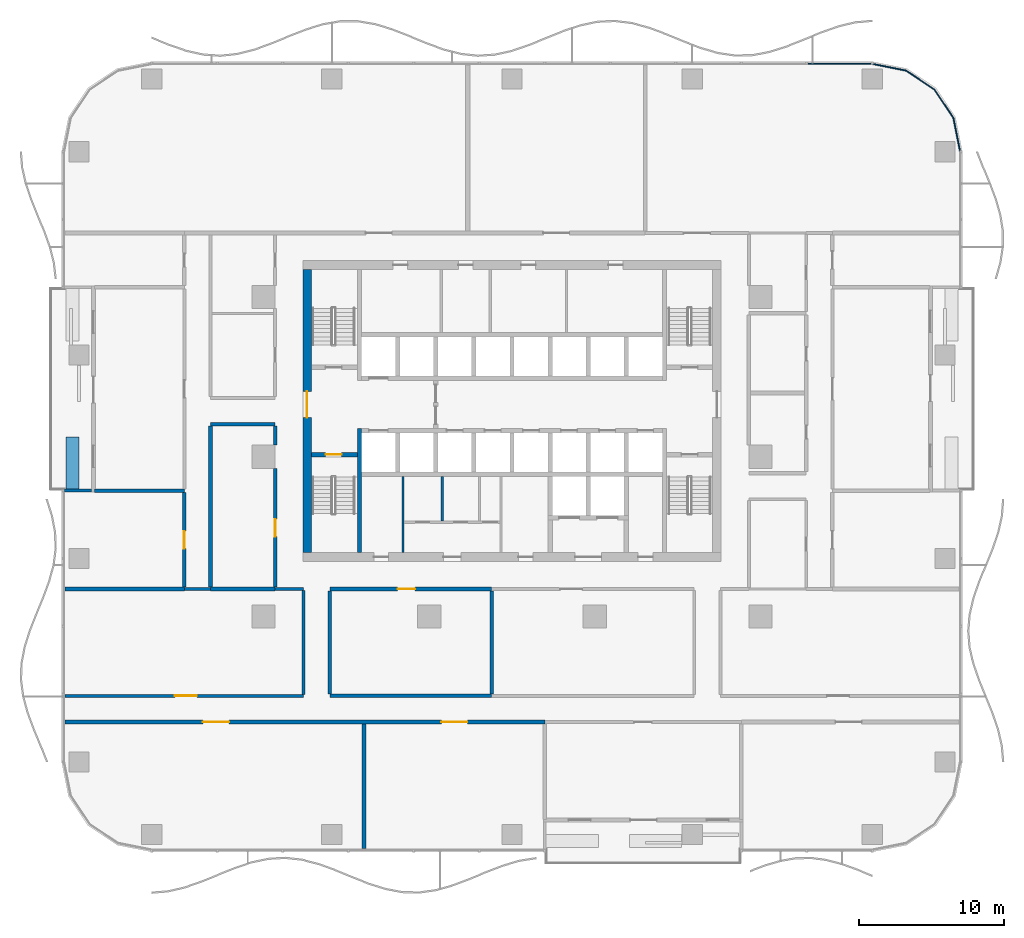
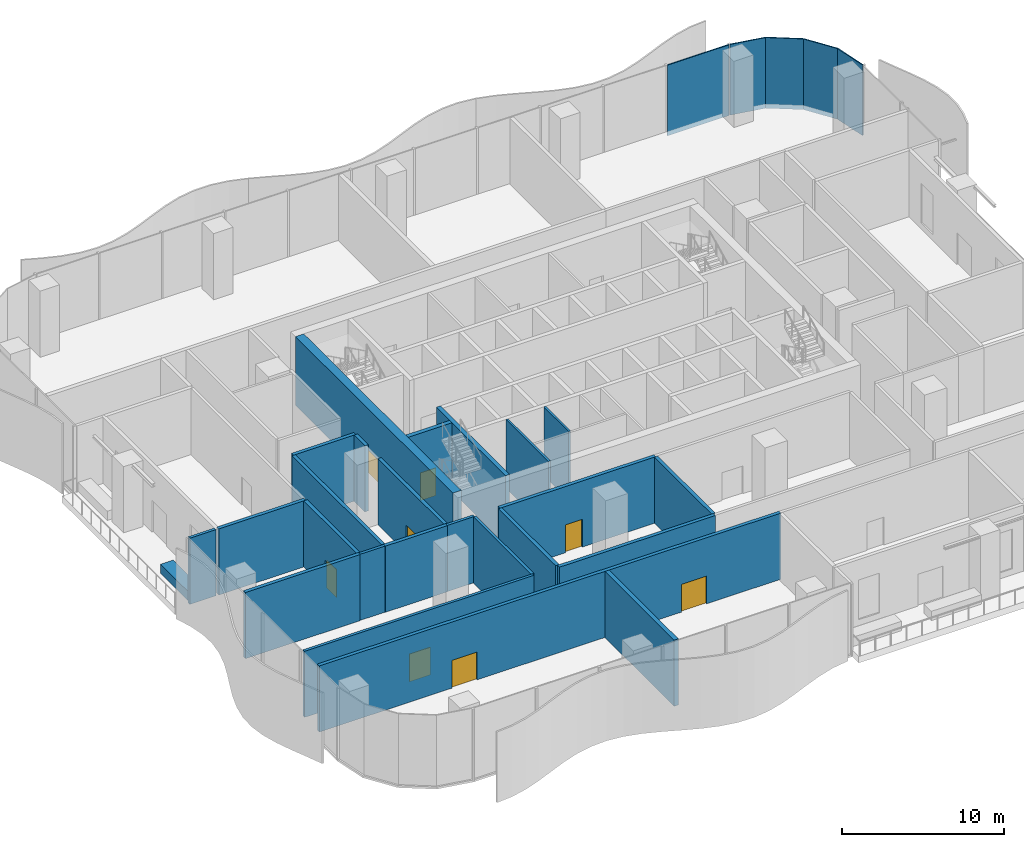
# One storey, part 7 of 20: 25 walls, 8 doors, 2 plates, 8 openings, 2 elements without a shape of their own.
"""IFC4 building model written with IfcOpenShell, lengths in metres."""

from ifc_helpers import new_model, si_unit, direction, frame, frame_2d, origin, origin_2d, place, context, subcontext, project, spatial, polyline, rectangle, outline, extrude, material, layer, layer_set, type_object, element, fill, aggregate, save


model = new_model("IFC4")

# Units and contexts
model_context = context("Model", 3, precision=1e-05, world=origin(), true_north=direction((0.0, 1.0)))
body_context = subcontext(model_context, "Body", "Model", "MODEL_VIEW")
ifc_project = project(units=[si_unit("LENGTHUNIT", "METRE"), si_unit("AREAUNIT", "SQUARE_METRE"), si_unit("VOLUMEUNIT", "CUBIC_METRE"), si_unit("PLANEANGLEUNIT", "RADIAN"), si_unit("MASSUNIT", "GRAM", prefix="KILO")], contexts=[model_context])

# Site, building, storey
site_placement = place(None, origin())
site = spatial("IfcSite", under=ifc_project, at=site_placement, CompositionType="ELEMENT")
building_placement = place(site_placement, origin())
building = spatial("IfcBuilding", under=site, at=building_placement, Name="Mopane Tessera Tower", CompositionType="ELEMENT")
storey_placement = place(building_placement, frame((0.0, 0.0, 14.5)))
storey = spatial("IfcBuildingStorey", under=building, at=storey_placement, Name="L02", CompositionType="ELEMENT", Elevation=14.5)

# Curtain wall, plate
ifc_material_1 = material(Name="Aluminium frame", Category="aluminium")
curtain_wall_type = type_object("IfcCurtainWallType", Name="Podium unitised wall", PredefinedType="NOTDEFINED", material=ifc_material_1)
curtain_wall_1_placement = place(storey_placement, origin())
curtain_wall_1 = element("IfcCurtainWall", 1, at=curtain_wall_1_placement, inside=storey, type_object=curtain_wall_type, Name="e:cw:L02:CE", PredefinedType="NOTDEFINED")
ifc_material_2 = material(Name="Limestone spandrel", Category="masonry")
ifc_layer_1 = layer(ifc_material_2, 0.080078125)
ifc_layer_set_1 = layer_set([ifc_layer_1], Name="Limestone spandrel")
plate_type = type_object("IfcPlateType", Name="Podium stone spandrel unit", PredefinedType="CURTAIN_PANEL", material=ifc_layer_set_1)
plate_1_placement = place(storey_placement, frame((0.0, 0.0, -0.340087890625)))
plate_1 = element("IfcPlate", 2, at=plate_1_placement, type_object=plate_type, Name="e:cw:L02:CE:pn", PredefinedType="CURTAIN_PANEL", context=body_context, shape_type="SweptSolid", body=[
    extrude(outline(polyline([(30.800048828125, 21.0), (30.34326171875, 23.296142578125), (29.042724609375, 25.24267578125), (27.09619140625, 26.543212890625), (24.800048828125, 27.0), (24.800048828125, 27.080078125), (27.126708984375, 26.6171875), (29.09912109375, 25.29931640625), (30.417236328125, 23.32666015625), (30.8798828125, 21.0), (30.800048828125, 21.0)])), origin(), (0.0, 0.0, 1.0), 5.340087890625),
])
aggregate(curtain_wall_1, [plate_1])

curtain_wall_2_placement = place(storey_placement, origin())
curtain_wall_2 = element("IfcCurtainWall", 3, at=curtain_wall_2_placement, inside=storey, type_object=curtain_wall_type, Name="e:cw:L02:N:0", PredefinedType="NOTDEFINED")
plate_2_placement = place(storey_placement, frame((22.54541015625, 27.0400390625, -0.33984375), z_axis=(0.0, 0.0, 1.0), x_axis=(-1.0, 0.0, 0.0)))
plate_2 = element("IfcPlate", 4, at=plate_2_placement, type_object=plate_type, Name="e:cw:L02:N:0:pn0", PredefinedType="CURTAIN_PANEL", context=body_context, shape_type="SweptSolid", body=[
    extrude(rectangle(XDim=4.384033203125, YDim=0.080078125, at=origin_2d()), origin(), (0.0, 0.0, 1.0), 5.340087890625),
])
aggregate(curtain_wall_2, [plate_2])

# Walls
ifc_material_3 = material(Name="Fire-rated gypsum board partition")
ifc_layer_2 = layer(ifc_material_3, 0.14990234375)
ifc_layer_set_2 = layer_set([ifc_layer_2], Name="Fire-rated gypsum board partition")
wall_type_1 = type_object("IfcWallType", Name="Core room partition 150 mm", PredefinedType="PARTITIONING", material=ifc_layer_set_2)
wall_1_placement = place(storey_placement, frame((-7.5, -6.60009765625, 0.0), z_axis=(0.0, 0.0, 1.0), x_axis=(0.0, 1.0, 0.0)))
element("IfcWall", 5, at=wall_1_placement, inside=storey, type_object=wall_type_1, Name="L02 Room partition", PredefinedType="PARTITIONING", context=body_context, shape_type="SweptSolid", body=[
    extrude(rectangle(XDim=5.25, YDim=0.14990234375, at=frame_2d((2.625, 0.0))), origin(), (0.0, 0.0, 1.0), 5.199951171875),
])
wall_2_placement = place(storey_placement, frame((-4.800048828125, -4.425048828125, 0.0), z_axis=(0.0, 0.0, 1.0), x_axis=(0.0, 1.0, 0.0)))
element("IfcWall", 6, at=wall_2_placement, inside=storey, type_object=wall_type_1, Name="L02 WC partition", PredefinedType="PARTITIONING", context=body_context, shape_type="SweptSolid", body=[
    extrude(rectangle(XDim=3.074951171875, YDim=0.14990234375, at=frame_2d((1.53759765625, 0.0))), origin(), (0.0, 0.0, 1.0), 5.199951171875),
])

# Wall, opening, door
ifc_material_4 = material(Name="Concrete C70/85", Category="concrete")
ifc_layer_3 = layer(ifc_material_4, 0.60009765625)
ifc_layer_set_3 = layer_set([ifc_layer_3], Name="Concrete C70/85")
wall_type_2 = type_object("IfcWallType", Name="Core shear wall 600 mm", PredefinedType="SHEAR", material=ifc_layer_set_3)
wall_3_placement = place(storey_placement, frame((-14.10009765625, -6.60009765625, 0.0), z_axis=(0.0, 0.0, 1.0), x_axis=(0.0, 1.0, 0.0)))
wall_3 = element("IfcWall", 7, at=wall_3_placement, inside=storey, type_object=wall_type_2, Name="L02 Core wall west", PredefinedType="SHEAR", context=body_context, shape_type="SweptSolid", body=[
    extrude(rectangle(XDim=19.5, YDim=0.60009765625, at=frame_2d((9.75, 0.0))), origin(), (0.0, 0.0, 1.0), 5.199951171875),
])
opening_1_placement = place(wall_3_placement, frame((9.300048828125, 0.0, 0.0)))
opening_1 = element("IfcOpeningElement", 8, at=opening_1_placement, cuts=wall_3, Name="Opening SD2", PredefinedType="OPENING", context=body_context, shape_type="SweptSolid", body=[
    extrude(rectangle(XDim=1.800048828125, YDim=2.10009765625, at=frame_2d((0.89990234375, 1.050048828125))), frame((0.0, 0.31201171875, 0.0), z_axis=(0.0, -1.0, 0.0), x_axis=(1.0, 0.0, 0.0)), (0.0, 0.0, 1.0), 0.6240234375),
])
ifc_material_5 = material(Name="Steel fire door", Category="steel")
door_type_1 = type_object("IfcDoorType", Name="Core entrance double door 1800 x 2100", OperationType="DOUBLE_DOOR_SINGLE_SWING", PredefinedType="DOOR", material=ifc_material_5)
door_1_placement = place(opening_1_placement, origin())
door_1 = element("IfcDoor", 9, at=door_1_placement, inside=storey, type_object=door_type_1, Name="L02 Core entrance door west", OperationType="DOUBLE_DOOR_SINGLE_SWING", OverallHeight=2.10009765625, OverallWidth=1.800048828125, PredefinedType="DOOR", context=body_context, shape_type="SweptSolid", body=[
    extrude(rectangle(XDim=1.800048828125, YDim=2.10009765625, at=frame_2d((0.89990234375, 1.050048828125))), frame((0.0, 0.02490234375, 0.0), z_axis=(0.0, -1.0, 0.0), x_axis=(1.0, 0.0, 0.0)), (0.0, 0.0, 1.0), 0.050048828125),
])
fill(opening_1, door_1)

# Wall
ifc_material_6 = material(Name="Concrete C60/75", Category="concrete")
ifc_layer_4 = layer(ifc_material_6, 0.300048828125)
ifc_layer_set_4 = layer_set([ifc_layer_4], Name="Concrete C60/75")
wall_type_3 = type_object("IfcWallType", Name="Core spine wall 300 mm", PredefinedType="SHEAR", material=ifc_layer_set_4)
wall_4_placement = place(storey_placement, frame((-10.5, -6.60009765625, 0.0), z_axis=(0.0, 0.0, 1.0), x_axis=(0.0, 1.0, 0.0)))
element("IfcWall", 10, at=wall_4_placement, inside=storey, type_object=wall_type_3, Name="L02 Core spine wall", PredefinedType="SHEAR", context=body_context, shape_type="SweptSolid", body=[
    extrude(rectangle(XDim=8.550048828125, YDim=0.300048828125, at=frame_2d((4.27490234375, 0.0))), origin(), (0.0, 0.0, 1.0), 5.199951171875),
])

# Wall, opening, door
ifc_material_7 = material(Name="Gypsum board on steel studs, two layers each face, mineral wool infill", Category="steel")
ifc_layer_5 = layer(ifc_material_7, 0.199951171875)
ifc_layer_set_5 = layer_set([ifc_layer_5], Name="Gypsum board on steel studs, two layers each face, mineral wool infill")
wall_type_4 = type_object("IfcWallType", Name="Gypsum board corridor wall 200, rated EI 60", PredefinedType="PARTITIONING", material=ifc_layer_set_5)
wall_5_placement = place(storey_placement, frame((-30.75, -16.449951171875, 0.0), z_axis=(0.0, 0.0, 1.0), x_axis=(1.0, 0.0, 0.0)))
wall_5 = element("IfcWall", 11, at=wall_5_placement, inside=storey, type_object=wall_type_4, Name="Partition L02:003", PredefinedType="PARTITIONING", context=body_context, shape_type="SweptSolid", body=[
    extrude(rectangle(XDim=16.409912109375, YDim=0.199951171875, at=frame_2d((8.205078125, 0.0))), origin(), (0.0, 0.0, 1.0), 5.0),
])
opening_2_placement = place(wall_5_placement, frame((7.554931640625, 0.0, 0.0)))
opening_2 = element("IfcOpeningElement", 12, at=opening_2_placement, cuts=wall_5, Name="Opening L02-15", PredefinedType="OPENING", context=body_context, shape_type="SweptSolid", body=[
    extrude(rectangle(XDim=1.5, YDim=2.10009765625, at=frame_2d((0.75, 1.050048828125))), frame((0.0, 0.112060546875, 0.0), z_axis=(0.0, -1.0, 0.0), x_axis=(1.0, 0.0, 0.0)), (0.0, 0.0, 1.0), 0.223876953125),
])
ifc_material_8 = material(Name="Timber veneered steel-framed fire door", Category="steel")
door_type_2 = type_object("IfcDoorType", Name="Fire door pair FD60 1500 x 2100", OperationType="DOUBLE_DOOR_SINGLE_SWING", PredefinedType="DOOR", material=ifc_material_8)
door_2_placement = place(opening_2_placement, origin())
door_2 = element("IfcDoor", 13, at=door_2_placement, inside=storey, type_object=door_type_2, Name="Door L02-15", ObjectType="D17A", OperationType="DOUBLE_DOOR_SINGLE_SWING", OverallHeight=2.10009765625, OverallWidth=1.5, PredefinedType="DOOR", context=body_context, shape_type="SweptSolid", body=[
    extrude(rectangle(XDim=1.5, YDim=2.10009765625, at=frame_2d((0.75, 1.050048828125))), frame((0.0, 0.02490234375, 0.0), z_axis=(0.0, -1.0, 0.0), x_axis=(1.0, 0.0, 0.0)), (0.0, 0.0, 1.0), 0.050048828125),
])
fill(opening_2, door_2)

# Walls
wall_6_placement = place(storey_placement, frame((-22.550048828125, -9.10009765625, 0.0), z_axis=(0.0, 0.0, 1.0), x_axis=(1.0, 0.0, 0.0)))
element("IfcWall", 14, at=wall_6_placement, inside=storey, type_object=wall_type_4, Name="Partition L02:008", PredefinedType="PARTITIONING", context=body_context, shape_type="SweptSolid", body=[
    extrude(rectangle(XDim=1.800048828125, YDim=0.199951171875, at=frame_2d((0.89990234375, 0.0))), origin(), (0.0, 0.0, 1.0), 5.0),
])
wall_7_placement = place(storey_placement, frame((-16.300048828125, -9.10009765625, 0.0), z_axis=(0.0, 0.0, 1.0), x_axis=(1.0, 0.0, 0.0)))
element("IfcWall", 15, at=wall_7_placement, inside=storey, type_object=wall_type_4, Name="Partition L02:009", PredefinedType="PARTITIONING", context=body_context, shape_type="SweptSolid", body=[
    extrude(rectangle(XDim=1.9599609375, YDim=0.199951171875, at=frame_2d((0.97998046875, 0.0))), origin(), (0.0, 0.0, 1.0), 5.0),
])
wall_8_placement = place(storey_placement, frame((-14.340087890625, -16.35009765625, 0.0), z_axis=(0.0, 0.0, 1.0), x_axis=(0.0, 1.0, 0.0)))
element("IfcWall", 16, at=wall_8_placement, inside=storey, type_object=wall_type_4, Name="Partition L02:043", PredefinedType="PARTITIONING", context=body_context, shape_type="SweptSolid", body=[
    extrude(rectangle(XDim=7.150146484375, YDim=0.199951171875, at=frame_2d((3.5751953125, 0.0))), origin(), (0.0, 0.0, 1.0), 5.0),
])

# Wall, opening, door
ifc_material_9 = material(Name="Concrete C50/60", Category="concrete")
ifc_layer_6 = layer(ifc_material_9, 0.300048828125)
ifc_layer_set_6 = layer_set([ifc_layer_6], Name="Concrete C50/60")
wall_type_5 = type_object("IfcWallType", Name="Lift and stair shaft wall 300 mm", PredefinedType="SOLIDWALL", material=ifc_layer_set_6)
wall_9_placement = place(storey_placement, frame((-13.800048828125, 0.14990234375, 0.0), z_axis=(0.0, 0.0, 1.0), x_axis=(1.0, 0.0, 0.0)))
wall_9 = element("IfcWall", 17, at=wall_9_placement, inside=storey, type_object=wall_type_5, Name="L02 Stair enclosure wall", PredefinedType="SOLIDWALL", context=body_context, shape_type="SweptSolid", body=[
    extrude(rectangle(XDim=3.150146484375, YDim=0.300048828125, at=frame_2d((1.5751953125, 0.0))), origin(), (0.0, 0.0, 1.0), 5.199951171875),
])
opening_3_placement = place(wall_9_placement, frame((0.97509765625, 0.0, 0.0)))
opening_3 = element("IfcOpeningElement", 18, at=opening_3_placement, cuts=wall_9, Name="Opening SD1", PredefinedType="OPENING", context=body_context, shape_type="SweptSolid", body=[
    extrude(rectangle(XDim=1.10009765625, YDim=2.10009765625, at=frame_2d((0.550048828125, 1.050048828125))), frame((0.0, 0.162109375, 0.0), z_axis=(0.0, -1.0, 0.0), x_axis=(1.0, 0.0, 0.0)), (0.0, 0.0, 1.0), 0.323974609375),
])
ifc_material_10 = material(Name="Steel fire door", Category="steel")
door_type_3 = type_object("IfcDoorType", Name="Stair fire door 1100 x 2100", OperationType="SINGLE_SWING_LEFT", PredefinedType="DOOR", material=ifc_material_10)
door_3_placement = place(opening_3_placement, origin())
door_3 = element("IfcDoor", 19, at=door_3_placement, inside=storey, type_object=door_type_3, Name="L02 Stair door ST1", OperationType="SINGLE_SWING_LEFT", OverallHeight=2.10009765625, OverallWidth=1.10009765625, PredefinedType="DOOR", context=body_context, shape_type="SweptSolid", body=[
    extrude(rectangle(XDim=1.10009765625, YDim=2.10009765625, at=frame_2d((0.550048828125, 1.050048828125))), frame((0.0, 0.02490234375, 0.0), z_axis=(0.0, -1.0, 0.0), x_axis=(1.0, 0.0, 0.0)), (0.0, 0.0, 1.0), 0.050048828125),
])
fill(opening_3, door_3)

# Walls
ifc_material_11 = material(Name="Reinforced concrete C32/40 with waterproofing", Category="concrete")
ifc_layer_7 = layer(ifc_material_11, 0.89990234375)
ifc_layer_set_7 = layer_set([ifc_layer_7], Name="Reinforced concrete C32/40 with waterproofing")
wall_type_6 = type_object("IfcWallType", Name="Planter trough 3600 x 900", PredefinedType="STANDARD", material=ifc_layer_set_7)
wall_10_placement = place(storey_placement, frame((-30.25, 1.36669921875, 0.0), z_axis=(0.0, 0.0, 1.0), x_axis=(0.0, -1.0, 0.0)))
element("IfcWall", 20, at=wall_10_placement, inside=storey, type_object=wall_type_6, Name="e:nw:L02:N3:pl1", PredefinedType="STANDARD", context=body_context, shape_type="SweptSolid", body=[
    extrude(rectangle(XDim=3.60009765625, YDim=0.89990234375, at=frame_2d((1.800048828125, 0.0))), origin(), (0.0, 0.0, 1.0), 0.699951171875),
])
ifc_material_12 = material(Name="Plastered concrete blockwork C20/25", Category="masonry")
ifc_layer_8 = layer(ifc_material_12, 0.300048828125)
ifc_layer_set_8 = layer_set([ifc_layer_8], Name="Plastered concrete blockwork C20/25")
wall_type_7 = type_object("IfcWallType", Name="Plastered blockwork separation wall 300, rated EI 120", PredefinedType="PARTITIONING", material=ifc_layer_set_8)
wall_11_placement = place(storey_placement, frame((-10.18505859375, -26.949951171875, 0.0), z_axis=(0.0, 0.0, 1.0), x_axis=(0.0, 1.0, 0.0)))
element("IfcWall", 21, at=wall_11_placement, inside=storey, type_object=wall_type_7, Name="Partition L02:045", PredefinedType="PARTITIONING", context=body_context, shape_type="SweptSolid", body=[
    extrude(rectangle(XDim=8.574951171875, YDim=0.300048828125, at=frame_2d((4.28759765625, 0.0))), origin(), (0.0, 0.0, 1.0), 5.0),
])

# Wall, openings, doors
ifc_material_13 = material(Name="Plastered concrete blockwork C20/25", Category="masonry")
ifc_layer_9 = layer(ifc_material_13, 0.25)
ifc_layer_set_9 = layer_set([ifc_layer_9], Name="Plastered concrete blockwork C20/25")
wall_type_8 = type_object("IfcWallType", Name="Plastered blockwork wall 250, rated EI 120", PredefinedType="PARTITIONING", material=ifc_layer_set_9)
wall_12_placement = place(storey_placement, frame((-30.75, -18.25, 0.0), z_axis=(0.0, 0.0, 1.0), x_axis=(1.0, 0.0, 0.0)))
wall_12 = element("IfcWall", 22, at=wall_12_placement, inside=storey, type_object=wall_type_8, Name="Partition L02:001", PredefinedType="PARTITIONING", context=body_context, shape_type="SweptSolid", body=[
    extrude(rectangle(XDim=33.0048828125, YDim=0.25, at=frame_2d((16.50244140625, 0.0))), origin(), (0.0, 0.0, 1.0), 5.0),
])
opening_4_placement = place(wall_12_placement, frame((9.482421875, 0.0, 0.0)))
opening_4 = element("IfcOpeningElement", 23, at=opening_4_placement, cuts=wall_12, Name="Opening L02-02", PredefinedType="OPENING", context=body_context, shape_type="SweptSolid", body=[
    extrude(rectangle(XDim=1.800048828125, YDim=2.10009765625, at=frame_2d((0.89990234375, 1.050048828125))), frame((0.0, 0.136962890625, 0.0), z_axis=(0.0, -1.0, 0.0), x_axis=(1.0, 0.0, 0.0)), (0.0, 0.0, 1.0), 0.27392578125),
])
opening_5_placement = place(wall_12_placement, frame((25.885009765625, 0.0, 0.0)))
opening_5 = element("IfcOpeningElement", 24, at=opening_5_placement, cuts=wall_12, Name="Opening L02-06", PredefinedType="OPENING", context=body_context, shape_type="SweptSolid", body=[
    extrude(rectangle(XDim=1.800048828125, YDim=2.10009765625, at=frame_2d((0.89990234375, 1.050048828125))), frame((0.0, 0.136962890625, 0.0), z_axis=(0.0, -1.0, 0.0), x_axis=(1.0, 0.0, 0.0)), (0.0, 0.0, 1.0), 0.27392578125),
])
ifc_material_14 = material(Name="Timber veneered steel-framed fire door", Category="steel")
door_type_4 = type_object("IfcDoorType", Name="Fire door pair FD120 1800 x 2100", OperationType="DOUBLE_DOOR_SINGLE_SWING", PredefinedType="DOOR", material=ifc_material_14)
door_4_placement = place(opening_4_placement, origin())
door_4 = element("IfcDoor", 25, at=door_4_placement, inside=storey, type_object=door_type_4, Name="Door L02-02", ObjectType="D20B", OperationType="DOUBLE_DOOR_SINGLE_SWING", OverallHeight=2.10009765625, OverallWidth=1.800048828125, PredefinedType="DOOR", context=body_context, shape_type="SweptSolid", body=[
    extrude(rectangle(XDim=1.800048828125, YDim=2.10009765625, at=frame_2d((0.89990234375, 1.050048828125))), frame((0.0, 0.02490234375, 0.0), z_axis=(0.0, -1.0, 0.0), x_axis=(1.0, 0.0, 0.0)), (0.0, 0.0, 1.0), 0.050048828125),
])
fill(opening_4, door_4)
door_5_placement = place(opening_5_placement, origin())
door_5 = element("IfcDoor", 26, at=door_5_placement, inside=storey, type_object=door_type_4, Name="Door L02-06", ObjectType="D20B", OperationType="DOUBLE_DOOR_SINGLE_SWING", OverallHeight=2.10009765625, OverallWidth=1.800048828125, PredefinedType="DOOR", context=body_context, shape_type="SweptSolid", body=[
    extrude(rectangle(XDim=1.800048828125, YDim=2.10009765625, at=frame_2d((0.89990234375, 1.050048828125))), frame((0.0, 0.02490234375, 0.0), z_axis=(0.0, -1.0, 0.0), x_axis=(1.0, 0.0, 0.0)), (0.0, 0.0, 1.0), 0.050048828125),
])
fill(opening_5, door_5)

# Walls
wall_13_placement = place(storey_placement, frame((-12.5400390625, -16.449951171875, 0.0), z_axis=(0.0, 0.0, 1.0), x_axis=(1.0, 0.0, 0.0)))
element("IfcWall", 27, at=wall_13_placement, inside=storey, type_object=wall_type_8, Name="Partition L02:006", PredefinedType="PARTITIONING", context=body_context, shape_type="SweptSolid", body=[
    extrude(rectangle(XDim=11.14501953125, YDim=0.25, at=frame_2d((5.572509765625, 0.0))), origin(), (0.0, 0.0, 1.0), 5.0),
])
wall_14_placement = place(storey_placement, frame((-30.75, -9.10009765625, 0.0), z_axis=(0.0, 0.0, 1.0), x_axis=(1.0, 0.0, 0.0)))
element("IfcWall", 28, at=wall_14_placement, inside=storey, type_object=wall_type_8, Name="Partition L02:013", PredefinedType="PARTITIONING", context=body_context, shape_type="SweptSolid", body=[
    extrude(rectangle(XDim=8.199951171875, YDim=0.25, at=frame_2d((4.10009765625, 0.0))), origin(), (0.0, 0.0, 1.0), 5.0),
])
wall_15_placement = place(storey_placement, frame((-20.75, -9.10009765625, 0.0), z_axis=(0.0, 0.0, 1.0), x_axis=(1.0, 0.0, 0.0)))
element("IfcWall", 29, at=wall_15_placement, inside=storey, type_object=wall_type_8, Name="Partition L02:014", PredefinedType="PARTITIONING", context=body_context, shape_type="SweptSolid", body=[
    extrude(rectangle(XDim=4.449951171875, YDim=0.25, at=frame_2d((2.22509765625, 0.0))), origin(), (0.0, 0.0, 1.0), 5.0),
])

# Wall, opening, door
wall_16_placement = place(storey_placement, frame((-12.5400390625, -9.10009765625, 0.0), z_axis=(0.0, 0.0, 1.0), x_axis=(1.0, 0.0, 0.0)))
wall_16 = element("IfcWall", 30, at=wall_16_placement, inside=storey, type_object=wall_type_8, Name="Partition L02:015", PredefinedType="PARTITIONING", context=body_context, shape_type="SweptSolid", body=[
    extrude(rectangle(XDim=11.14501953125, YDim=0.25, at=frame_2d((5.572509765625, 0.0))), origin(), (0.0, 0.0, 1.0), 5.0),
])
opening_6_placement = place(wall_16_placement, frame((4.672607421875, 0.0, 0.0)))
opening_6 = element("IfcOpeningElement", 31, at=opening_6_placement, cuts=wall_16, Name="Opening L02-11", PredefinedType="OPENING", context=body_context, shape_type="SweptSolid", body=[
    extrude(rectangle(XDim=1.199951171875, YDim=2.10009765625, at=frame_2d((0.60009765625, 1.050048828125))), frame((0.0, 0.136962890625, 0.0), z_axis=(0.0, -1.0, 0.0), x_axis=(1.0, 0.0, 0.0)), (0.0, 0.0, 1.0), 0.27392578125),
])
ifc_material_15 = material(Name="Timber veneered steel-framed fire door", Category="steel")
door_type_5 = type_object("IfcDoorType", Name="Fire door FD120 1200 x 2100", OperationType="SINGLE_SWING_LEFT", PredefinedType="DOOR", material=ifc_material_15)
door_6_placement = place(opening_6_placement, origin())
door_6 = element("IfcDoor", 32, at=door_6_placement, inside=storey, type_object=door_type_5, Name="Door L02-11", ObjectType="D15B", OperationType="SINGLE_SWING_RIGHT", OverallHeight=2.10009765625, OverallWidth=1.199951171875, PredefinedType="DOOR", context=body_context, shape_type="SweptSolid", body=[
    extrude(rectangle(XDim=1.199951171875, YDim=2.10009765625, at=frame_2d((0.60009765625, 1.050048828125))), frame((0.0, 0.02490234375, 0.0), z_axis=(0.0, -1.0, 0.0), x_axis=(1.0, 0.0, 0.0)), (0.0, 0.0, 1.0), 0.050048828125),
])
fill(opening_6, door_6)

# Walls
wall_17_placement = place(storey_placement, frame((-28.75, -2.3349609375, 0.0), z_axis=(0.0, 0.0, 1.0), x_axis=(1.0, 0.0, 0.0)))
element("IfcWall", 33, at=wall_17_placement, inside=storey, type_object=wall_type_8, Name="Partition L02:018", PredefinedType="PARTITIONING", context=body_context, shape_type="SweptSolid", body=[
    extrude(rectangle(XDim=6.199951171875, YDim=0.25, at=frame_2d((3.10009765625, 0.0))), origin(), (0.0, 0.0, 1.0), 5.0),
])
wall_18_placement = place(storey_placement, frame((-20.75, 2.25, 0.0), z_axis=(0.0, 0.0, 1.0), x_axis=(1.0, 0.0, 0.0)))
element("IfcWall", 34, at=wall_18_placement, inside=storey, type_object=wall_type_8, Name="Partition L02:021", PredefinedType="PARTITIONING", context=body_context, shape_type="SweptSolid", body=[
    extrude(rectangle(XDim=4.449951171875, YDim=0.25, at=frame_2d((2.22509765625, 0.0))), origin(), (0.0, 0.0, 1.0), 5.0),
])

# Wall, opening, door
wall_19_placement = place(storey_placement, frame((-22.550048828125, -8.97509765625, 0.0), z_axis=(0.0, 0.0, 1.0), x_axis=(0.0, 1.0, 0.0)))
wall_19 = element("IfcWall", 35, at=wall_19_placement, inside=storey, type_object=wall_type_8, Name="Partition L02:035", PredefinedType="PARTITIONING", context=body_context, shape_type="SweptSolid", body=[
    extrude(rectangle(XDim=6.51513671875, YDim=0.25, at=frame_2d((3.257568359375, 0.0))), origin(), (0.0, 0.0, 1.0), 5.0),
])
opening_7_placement = place(wall_19_placement, frame((2.657470703125, 0.0, 0.0)))
opening_7 = element("IfcOpeningElement", 36, at=opening_7_placement, cuts=wall_19, Name="Opening L02-05", PredefinedType="OPENING", context=body_context, shape_type="SweptSolid", body=[
    extrude(rectangle(XDim=1.199951171875, YDim=2.10009765625, at=frame_2d((0.60009765625, 1.050048828125))), frame((0.0, 0.136962890625, 0.0), z_axis=(0.0, -1.0, 0.0), x_axis=(1.0, 0.0, 0.0)), (0.0, 0.0, 1.0), 0.27392578125),
])
door_7_placement = place(opening_7_placement, origin())
door_7 = element("IfcDoor", 37, at=door_7_placement, inside=storey, type_object=door_type_5, Name="Door L02-05", ObjectType="D15B", OperationType="SINGLE_SWING_LEFT", OverallHeight=2.10009765625, OverallWidth=1.199951171875, PredefinedType="DOOR", context=body_context, shape_type="SweptSolid", body=[
    extrude(rectangle(XDim=1.199951171875, YDim=2.10009765625, at=frame_2d((0.60009765625, 1.050048828125))), frame((0.0, 0.02490234375, 0.0), z_axis=(0.0, -1.0, 0.0), x_axis=(1.0, 0.0, 0.0)), (0.0, 0.0, 1.0), 0.050048828125),
])
fill(opening_7, door_7)

# Wall
wall_20_placement = place(storey_placement, frame((-20.75, -8.97509765625, 0.0), z_axis=(0.0, 0.0, 1.0), x_axis=(0.0, 1.0, 0.0)))
element("IfcWall", 38, at=wall_20_placement, inside=storey, type_object=wall_type_8, Name="Partition L02:038", PredefinedType="PARTITIONING", context=body_context, shape_type="SweptSolid", body=[
    extrude(rectangle(XDim=11.10009765625, YDim=0.25, at=frame_2d((5.550048828125, 0.0))), origin(), (0.0, 0.0, 1.0), 5.0),
])

# Wall, opening, door
wall_21_placement = place(storey_placement, frame((-16.300048828125, -8.97509765625, 0.0), z_axis=(0.0, 0.0, 1.0), x_axis=(0.0, 1.0, 0.0)))
wall_21 = element("IfcWall", 39, at=wall_21_placement, inside=storey, type_object=wall_type_8, Name="Partition L02:041", PredefinedType="PARTITIONING", context=body_context, shape_type="SweptSolid", body=[
    extrude(rectangle(XDim=8.175048828125, YDim=0.25, at=frame_2d((4.08740234375, 0.0))), origin(), (0.0, 0.0, 1.0), 5.0),
])
opening_8_placement = place(wall_21_placement, frame((3.487548828125, 0.0, 0.0)))
opening_8 = element("IfcOpeningElement", 40, at=opening_8_placement, cuts=wall_21, Name="Opening L02-10", PredefinedType="OPENING", context=body_context, shape_type="SweptSolid", body=[
    extrude(rectangle(XDim=1.199951171875, YDim=2.10009765625, at=frame_2d((0.60009765625, 1.050048828125))), frame((0.0, 0.136962890625, 0.0), z_axis=(0.0, -1.0, 0.0), x_axis=(1.0, 0.0, 0.0)), (0.0, 0.0, 1.0), 0.27392578125),
])
door_8_placement = place(opening_8_placement, origin())
door_8 = element("IfcDoor", 41, at=door_8_placement, inside=storey, type_object=door_type_5, Name="Door L02-10", ObjectType="D15B", OperationType="SINGLE_SWING_RIGHT", OverallHeight=2.10009765625, OverallWidth=1.199951171875, PredefinedType="DOOR", context=body_context, shape_type="SweptSolid", body=[
    extrude(rectangle(XDim=1.199951171875, YDim=2.10009765625, at=frame_2d((0.60009765625, 1.050048828125))), frame((0.0, 0.02490234375, 0.0), z_axis=(0.0, -1.0, 0.0), x_axis=(1.0, 0.0, 0.0)), (0.0, 0.0, 1.0), 0.050048828125),
])
fill(opening_8, door_8)

# Walls
wall_22_placement = place(storey_placement, frame((-16.300048828125, 0.800048828125, 0.0), z_axis=(0.0, 0.0, 1.0), x_axis=(0.0, 1.0, 0.0)))
element("IfcWall", 42, at=wall_22_placement, inside=storey, type_object=wall_type_8, Name="Partition L02:042", PredefinedType="PARTITIONING", context=body_context, shape_type="SweptSolid", body=[
    extrude(rectangle(XDim=1.324951171875, YDim=0.25, at=frame_2d((0.66259765625, 0.0))), origin(), (0.0, 0.0, 1.0), 5.0),
])
for number, where, z_axis, x_axis, name in (
    (43, (-12.5400390625, -16.324951171875, 0.0), (0.0, 0.0, 1.0), (0.0, 1.0, 0.0), "Partition L02:044"),
    (44, (-1.39501953125, -16.324951171875, 0.0), (0.0, 0.0, 1.0), (0.0, 1.0, 0.0), "Partition L02:047"),
):
    element("IfcWall", number, at=place(storey_placement, frame(where, z_axis=z_axis, x_axis=x_axis)), inside=storey, type_object=wall_type_8, Name=name, PredefinedType="PARTITIONING", context=body_context, shape_type="SweptSolid", body=[
        extrude(rectangle(XDim=7.099853515625, YDim=0.25, at=frame_2d((3.5498046875, 0.0))), origin(), (0.0, 0.0, 1.0), 5.0),
    ])
ifc_material_16 = material(Name="Blockwork with glazed tile facing", Category="masonry")
ifc_layer_10 = layer(ifc_material_16, 0.199951171875)
ifc_layer_set_10 = layer_set([ifc_layer_10], Name="Blockwork with glazed tile facing")
wall_type_9 = type_object("IfcWallType", Name="Terrace cheek wall 200", PredefinedType="STANDARD", material=ifc_layer_set_10)
wall_23_placement = place(storey_placement, frame((-30.800048828125, -2.333251953125, 0.0), z_axis=(0.0, 0.0, 1.0), x_axis=(1.0, 0.0, 0.0)))
element("IfcWall", 45, at=wall_23_placement, inside=storey, type_object=wall_type_9, Name="e:nw:L02:N3:cheekb", PredefinedType="STANDARD", context=body_context, shape_type="SweptSolid", body=[
    extrude(rectangle(XDim=1.875, YDim=0.199951171875, at=frame_2d((0.9375, 0.0))), origin(), (0.0, 0.0, 1.0), 5.0),
])

save(model, "model.ifc")
